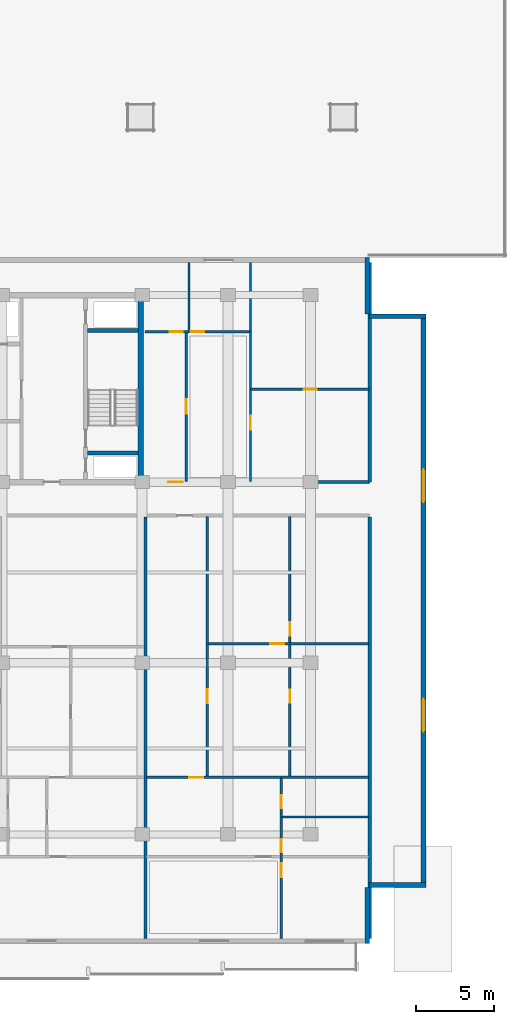
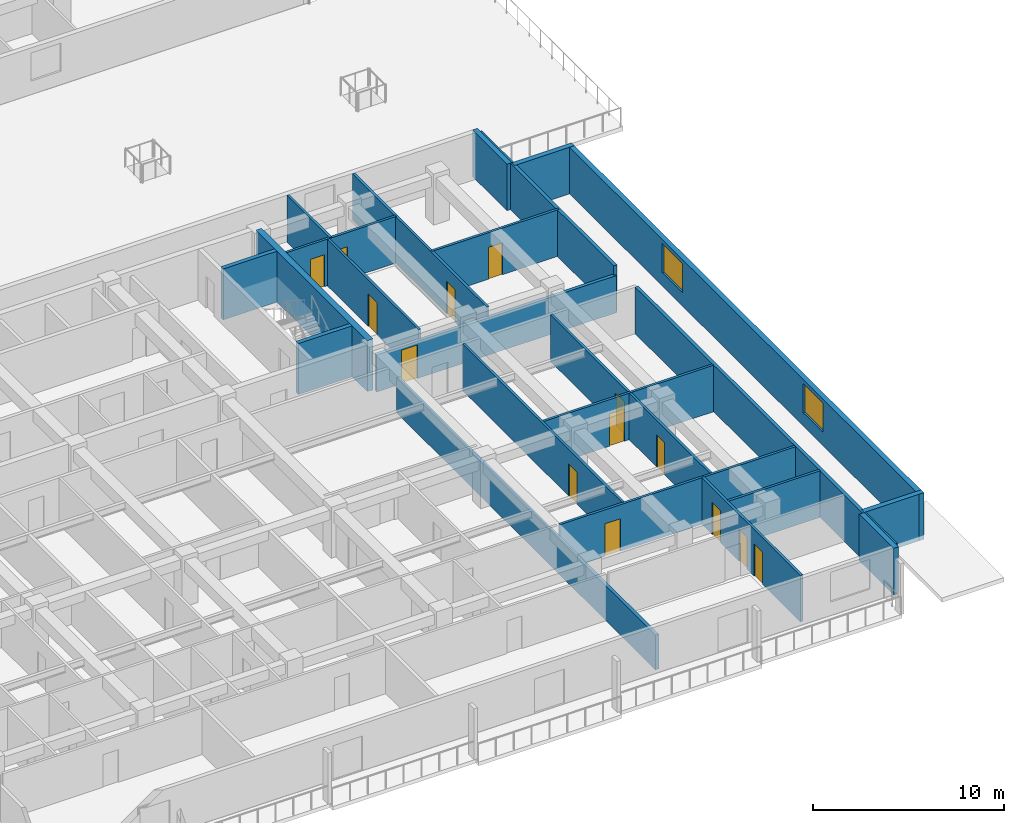
# One storey, part 8 of 24: 23 walls, 14 doors, 2 windows, 16 openings.
"""IFC4 building model written with IfcOpenShell, lengths in metres."""

import ifcopenshell
import ifcopenshell.guid

model = None  # the IFC model being written
_history = None  # IfcOwnerHistory: only IFC2X3 demands one
_inside = {}  # id of a spatial element -> (the spatial element, [elements in it])
_under = {}  # id of a project, library or spatial element -> (it, [spatial elements below it])
_declared = {}  # id of a project -> (the project, [libraries it declares])
_typed = {}  # id of a type object -> (the type object, [elements of that type])
_made_of = {}  # id of a material, layer set ... -> (it, [elements and type objects made of it])


def new_model(schema):
    """Start an empty IFC model of exactly this schema.

    Asked for "IFC4X3", IfcOpenShell would pick the latest addendum, in which some entities
    have other attributes; the version numbers below select the first issue.
    IFC2X3 requires an IfcOwnerHistory on every rooted entity: one is made here for all.
    """
    global model, _history
    if schema == "IFC4X3":
        model = ifcopenshell.file(schema_version=(4, 3, 0, 0))
    else:
        model = ifcopenshell.file(schema=schema)
    _inside.clear()
    _under.clear()
    _declared.clear()
    _typed.clear()
    _made_of.clear()
    _history = None
    if model.schema == "IFC2X3":
        org = make("IfcOrganization", Name="unknown")
        user = make(
            "IfcPersonAndOrganization",
            ThePerson=make("IfcPerson", FamilyName="unknown"),
            TheOrganization=org,
        )
        app = make(
            "IfcApplication",
            ApplicationDeveloper=org,
            Version="unknown",
            ApplicationFullName="unknown",
            ApplicationIdentifier="unknown",
        )
        _history = make(
            "IfcOwnerHistory",
            OwningUser=user,
            OwningApplication=app,
            ChangeAction="ADDED",
            CreationDate=0,
        )
    return model


def make(cls, **values):
    """One entity of the class cls with the attributes given. An attribute that is None is left unset."""
    return model.create_entity(
        cls, **{name: value for name, value in values.items() if value is not None}
    )


def rooted(cls, **values):
    """An entity with a GlobalId (a new one), such as an element, a storey or a relation."""
    return make(cls, GlobalId=ifcopenshell.guid.new(), OwnerHistory=_history, **values)


def si_unit(unit_type, name, prefix=None):
    """IfcSIUnit, for example si_unit("LENGTHUNIT", "METRE", prefix="MILLI")."""
    return make("IfcSIUnit", UnitType=unit_type, Prefix=prefix, Name=name)


def assignment(units):
    """IfcUnitAssignment: the units of a project."""
    return None if units is None else make("IfcUnitAssignment", Units=units)


def point(xyz):
    """IfcCartesianPoint."""
    return None if xyz is None else make("IfcCartesianPoint", Coordinates=xyz)


def direction(xyz):
    """IfcDirection."""
    return None if xyz is None else make("IfcDirection", DirectionRatios=xyz)


def frame(location, z_axis=None, x_axis=None):
    """IfcAxis2Placement3D, a coordinate frame: its origin and axes. An axis left out is left unset."""
    return make(
        "IfcAxis2Placement3D",
        Location=point(location),
        Axis=direction(z_axis),
        RefDirection=direction(x_axis),
    )


def frame_2d(location, x_axis=None):
    """IfcAxis2Placement2D, a coordinate frame in the plane: its origin and x axis."""
    return make(
        "IfcAxis2Placement2D", Location=point(location), RefDirection=direction(x_axis)
    )


def origin():
    """The frame at (0, 0, 0) with its axes left unset."""
    return frame((0.0, 0.0, 0.0))


def place(relative_to, where):
    """IfcLocalPlacement: puts the frame where relative to a parent placement (None: the world)."""
    return make(
        "IfcLocalPlacement", PlacementRelTo=relative_to, RelativePlacement=where
    )


def context(
    kind, dimensions, precision=None, world=None, true_north=None, identifier=None
):
    """IfcGeometricRepresentationContext, for example the 3D "Model" context."""
    return make(
        "IfcGeometricRepresentationContext",
        ContextIdentifier=identifier,
        ContextType=kind,
        CoordinateSpaceDimension=dimensions,
        Precision=precision,
        WorldCoordinateSystem=world,
        TrueNorth=true_north,
    )


def subcontext(parent, identifier, kind, view, scale=None):
    """IfcGeometricRepresentationSubContext, for example "Body" below "Model"."""
    return make(
        "IfcGeometricRepresentationSubContext",
        ContextIdentifier=identifier,
        ContextType=kind,
        ParentContext=parent,
        TargetScale=scale,
        TargetView=view,
    )


def project(units=None, contexts=None):
    """IfcProject with its units and contexts."""
    return rooted(
        "IfcProject",
        Name="project",
        RepresentationContexts=contexts,
        UnitsInContext=assignment(units),
    )


def spatial(cls, under=None, at=None, **own):
    """A site, building, storey or space (cls), placed at a placement, below another one or the project."""
    s = rooted(cls, ObjectPlacement=at, **own)
    if under is not None:
        _under.setdefault(under.id(), (under, []))[1].append(s)
    return s


def profile(cls, at=None, kind="AREA", **sizes):
    """A parametric profile (cls). Its sizes go by their IFC names, for example OverallWidth=200.0."""
    return make(cls, ProfileType=kind, Position=at, **sizes)


def rectangle(**sizes):
    """IfcRectangleProfileDef."""
    return profile("IfcRectangleProfileDef", **sizes)


def extrude(swept, where, along, depth):
    """IfcExtrudedAreaSolid: the profile swept, set in the frame where, extruded along a direction by depth."""
    return make(
        "IfcExtrudedAreaSolid",
        SweptArea=swept,
        Position=where,
        ExtrudedDirection=direction(along),
        Depth=depth,
    )


def shape(context_of_items, identifier, shape_type, items):
    """IfcShapeRepresentation: the items that make up one representation, for example the "Body"."""
    return make(
        "IfcShapeRepresentation",
        ContextOfItems=context_of_items,
        RepresentationIdentifier=identifier,
        RepresentationType=shape_type,
        Items=items,
    )


def material(Name=None, Category=None):
    """IfcMaterial."""
    return make("IfcMaterial", Name=Name, Category=Category)


def layer(
    of_material, thickness, ventilated=None, Name=None, Category=None, Priority=None
):
    """IfcMaterialLayer: one layer of a wall or slab, of a material (None: an air gap)."""
    return make(
        "IfcMaterialLayer",
        Material=of_material,
        LayerThickness=thickness,
        IsVentilated=ventilated,
        Name=Name,
        Category=Category,
        Priority=Priority,
    )


def layer_set(layers, Name=None):
    """IfcMaterialLayerSet."""
    return make("IfcMaterialLayerSet", MaterialLayers=layers, LayerSetName=Name)


def made_of(thing, what):
    """Note that an element or type object is made of a material, layer set ...; save() writes the relation."""
    if what is not None:
        _made_of.setdefault(what.id(), (what, []))[1].append(thing)
    return thing


def type_object(cls, material=None, **own):
    """A type object (cls), such as IfcWallType, which elements share."""
    return made_of(rooted(cls, **own), material)


def element(
    cls,
    number,
    at=None,
    inside=None,
    cuts=None,
    type_object=None,
    material=None,
    context=None,
    identifier="Body",
    shape_type=None,
    held_by="IfcProductDefinitionShape",
    body=None,
    shapes=None,
    **own,
):
    """One element of the class cls, such as IfcWall. Its Tag is "e" and its number.

    at: its placement. inside: the storey or other place that contains it. cuts: it is an
    opening in that element (IfcRelVoidsElement). A single representation is given by context,
    identifier, shape_type and body (its items); several are given by shapes. held_by: the class
    of the entity that holds the representations. save() writes the other relations.
    """
    e = rooted(cls, Tag="e%d" % number, ObjectPlacement=at, **own)
    if body is not None:
        shapes = [shape(context, identifier, shape_type, body)]
    if shapes is not None:
        e.Representation = make(held_by, Representations=shapes)
    if inside is not None:
        _inside.setdefault(inside.id(), (inside, []))[1].append(e)
    if cuts is not None:
        rooted(
            "IfcRelVoidsElement", RelatingBuildingElement=cuts, RelatedOpeningElement=e
        )
    if type_object is not None:
        _typed.setdefault(type_object.id(), (type_object, []))[1].append(e)
    return made_of(e, material)


def fill(opening, filler):
    """IfcRelFillsElement: the door or window that sits in an opening."""
    return rooted(
        "IfcRelFillsElement",
        RelatingOpeningElement=opening,
        RelatedBuildingElement=filler,
    )


def aggregate(whole, parts):
    """IfcRelAggregates: a whole, such as a stair, and the parts it consists of."""
    return rooted("IfcRelAggregates", RelatingObject=whole, RelatedObjects=parts)


def save(model, path):
    """Write the relations noted so far, then the file.

    IfcRelAggregates (storeys below a building ...), IfcRelContainedInSpatialStructure (elements
    in a storey), IfcRelDefinesByType, IfcRelAssociatesMaterial and IfcRelDeclares: one each for
    every whole, place, type object, material and project.
    """
    for whole, parts in _under.values():
        aggregate(whole, parts)
    for where, things in _inside.values():
        rooted(
            "IfcRelContainedInSpatialStructure",
            RelatedElements=things,
            RelatingStructure=where,
        )
    for kind, things in _typed.values():
        rooted("IfcRelDefinesByType", RelatedObjects=things, RelatingType=kind)
    for what, things in _made_of.values():
        rooted("IfcRelAssociatesMaterial", RelatedObjects=things, RelatingMaterial=what)
    for by, libraries in _declared.values():
        rooted("IfcRelDeclares", RelatingContext=by, RelatedDefinitions=libraries)
    model.write(path)


model = new_model("IFC4")

# Units and contexts
model_context = context("Model", 3, precision=1e-05, world=origin(), true_north=direction((0.0, 1.0)))
body_context = subcontext(model_context, "Body", "Model", "MODEL_VIEW")
ifc_project = project(units=[si_unit("LENGTHUNIT", "METRE"), si_unit("AREAUNIT", "SQUARE_METRE"), si_unit("VOLUMEUNIT", "CUBIC_METRE"), si_unit("PLANEANGLEUNIT", "RADIAN"), si_unit("MASSUNIT", "GRAM", prefix="KILO")], contexts=[model_context])

# Site, building, storey
site_placement = place(None, origin())
site = spatial("IfcSite", under=ifc_project, at=site_placement, CompositionType="ELEMENT")
building_placement = place(site_placement, origin())
building = spatial("IfcBuilding", under=site, at=building_placement, Name="Korimba Cascade Residences", CompositionType="ELEMENT")
storey_placement = place(building_placement, frame((0.0, 0.0, 24.0)))
storey = spatial("IfcBuildingStorey", under=building, at=storey_placement, Name="L05", CompositionType="ELEMENT", Elevation=24.0)

# Walls
ifc_material_1 = material(Name="Precast concrete C40/50", Category="concrete")
ifc_layer_1 = layer(ifc_material_1, 0.300048828125)
ifc_layer_set_1 = layer_set([ifc_layer_1], Name="Precast concrete C40/50")
wall_type_1 = type_object("IfcWallType", Name="EW-STONE-300", PredefinedType="STANDARD", material=ifc_layer_set_1)
wall_1_placement = place(storey_placement, frame((132.550048828125, -11.199951171875, 0.0), z_axis=(0.0, 0.0, 1.0), x_axis=(0.0, 1.0, 0.0)))
element("IfcWall", 1, at=wall_1_placement, inside=storey, type_object=wall_type_1, Name="L05 T2 Perimeter Stone Wall E01", PredefinedType="STANDARD", context=body_context, shape_type="SweptSolid", body=[
    extrude(rectangle(XDim=3.599853515625, YDim=0.300048828125, at=frame_2d((1.7998046875, 0.0))), origin(), (0.0, 0.0, 1.0), 2.969970703125),
])
wall_2_placement = place(storey_placement, frame((132.699951171875, -7.449951171875, 0.0), z_axis=(0.0, 0.0, 1.0), x_axis=(1.0, 0.0, 0.0)))
element("IfcWall", 2, at=wall_2_placement, inside=storey, type_object=wall_type_1, Name="L05 T2 Perimeter Stone Wall E02", PredefinedType="STANDARD", context=body_context, shape_type="SweptSolid", body=[
    extrude(rectangle(XDim=3.60009765625, YDim=0.300048828125, at=frame_2d((1.800048828125, 0.0))), origin(), (0.0, 0.0, 1.0), 2.969970703125),
])

# Wall, openings, windows
wall_3_placement = place(storey_placement, frame((136.14990234375, -7.60009765625, 0.0), z_axis=(0.0, 0.0, 1.0), x_axis=(0.0, 1.0, 0.0)))
wall_3 = element("IfcWall", 3, at=wall_3_placement, inside=storey, type_object=wall_type_1, Name="L05 T2 Perimeter Stone Wall E03", PredefinedType="STANDARD", context=body_context, shape_type="SweptSolid", body=[
    extrude(rectangle(XDim=36.800048828125, YDim=0.300048828125, at=frame_2d((18.39990234375, 0.0))), origin(), (0.0, 0.0, 1.0), 2.969970703125),
])
opening_1_placement = place(wall_3_placement, frame((9.989990234375, 0.0, 0.85009765625)))
opening_1 = element("IfcOpeningElement", 4, at=opening_1_placement, cuts=wall_3, Name="Opening W-03", PredefinedType="OPENING", context=body_context, shape_type="SweptSolid", body=[
    extrude(rectangle(XDim=2.10009765625, YDim=1.85009765625, at=frame_2d((1.050048828125, 0.925048828125))), frame((0.0, 0.16015625, 0.0), z_axis=(0.0, -1.0, 0.0), x_axis=(1.0, 0.0, 0.0)), (0.0, 0.0, 1.0), 0.320068359375),
])
opening_2_placement = place(wall_3_placement, frame((24.7099609375, 0.0, 0.85009765625)))
opening_2 = element("IfcOpeningElement", 5, at=opening_2_placement, cuts=wall_3, Name="Opening W-03", PredefinedType="OPENING", context=body_context, shape_type="SweptSolid", body=[
    extrude(rectangle(XDim=2.10009765625, YDim=1.85009765625, at=frame_2d((1.050048828125, 0.925048828125))), frame((0.0, 0.16015625, 0.0), z_axis=(0.0, -1.0, 0.0), x_axis=(1.0, 0.0, 0.0)), (0.0, 0.0, 1.0), 0.320068359375),
])
ifc_material_2 = material(Name="Double-Glazed Aluminium Window", Category="aluminium")
window_type = type_object("IfcWindowType", Name="WIN-CRN-2100", PartitioningType="DOUBLE_PANEL_HORIZONTAL", PredefinedType="WINDOW", material=ifc_material_2)
window_1_placement = place(opening_1_placement, origin())
window_1 = element("IfcWindow", 6, at=window_1_placement, inside=storey, type_object=window_type, Name="L05 T2 End View Window 3.1", OverallHeight=1.85009765625, OverallWidth=2.10009765625, PartitioningType="DOUBLE_PANEL_HORIZONTAL", PredefinedType="WINDOW", context=body_context, shape_type="SweptSolid", body=[
    extrude(rectangle(XDim=2.10009765625, YDim=1.85009765625, at=frame_2d((1.050048828125, 0.925048828125))), frame((0.0, 0.030029296875, 0.0), z_axis=(0.0, -1.0, 0.0), x_axis=(1.0, 0.0, 0.0)), (0.0, 0.0, 1.0), 0.06005859375),
])
fill(opening_1, window_1)
window_2_placement = place(opening_2_placement, origin())
window_2 = element("IfcWindow", 7, at=window_2_placement, inside=storey, type_object=window_type, Name="L05 T2 End View Window 3.2", OverallHeight=1.85009765625, OverallWidth=2.10009765625, PartitioningType="DOUBLE_PANEL_HORIZONTAL", PredefinedType="WINDOW", context=body_context, shape_type="SweptSolid", body=[
    extrude(rectangle(XDim=2.10009765625, YDim=1.85009765625, at=frame_2d((1.050048828125, 0.925048828125))), frame((0.0, 0.030029296875, 0.0), z_axis=(0.0, -1.0, 0.0), x_axis=(1.0, 0.0, 0.0)), (0.0, 0.0, 1.0), 0.06005859375),
])
fill(opening_2, window_2)

# Walls
for number, where, z_axis, x_axis, name in (
    (8, (136.300048828125, 29.050048828125, 0.0), (0.0, 0.0, 1.0), (-1.0, 0.0, 0.0), "L05 T2 Perimeter Stone Wall E04"),
    (9, (132.550048828125, 29.199951171875, 0.0), (0.0, 0.0, 1.0), (0.0, 1.0, 0.0), "L05 T2 Perimeter Stone Wall E05"),
):
    element("IfcWall", number, at=place(storey_placement, frame(where, z_axis=z_axis, x_axis=x_axis)), inside=storey, type_object=wall_type_1, Name=name, PredefinedType="STANDARD", context=body_context, shape_type="SweptSolid", body=[
        extrude(rectangle(XDim=3.60009765625, YDim=0.300048828125, at=frame_2d((1.800048828125, 0.0))), origin(), (0.0, 0.0, 1.0), 2.969970703125),
    ])
ifc_material_3 = material(Name="Concrete C65/80", Category="concrete")
ifc_layer_2 = layer(ifc_material_3, 0.35009765625)
ifc_layer_set_2 = layer_set([ifc_layer_2], Name="Concrete C65/80")
wall_type_2 = type_object("IfcWallType", Name="WAL-CORE-350", PredefinedType="SHEAR", material=ifc_layer_set_2)
wall_4_placement = place(storey_placement, frame((118.014892578125, 18.574951171875, 0.0), z_axis=(0.0, 0.0, 1.0), x_axis=(0.0, 1.0, 0.0)))
element("IfcWall", 10, at=wall_4_placement, inside=storey, type_object=wall_type_2, Name="L05 Core Shear Wall CW-L05-T2-E", PredefinedType="SHEAR", context=body_context, shape_type="SweptSolid", body=[
    extrude(rectangle(XDim=11.650146484375, YDim=0.35009765625, at=frame_2d((5.8251953125, 0.0))), origin(), (0.0, 0.0, 1.0), 3.25),
])
ifc_layer_3 = layer(ifc_material_1, 0.199951171875)
ifc_layer_set_3 = layer_set([ifc_layer_3], Name="Precast concrete C40/50")
wall_type_3 = type_object("IfcWallType", Name="WAL-IT-200", PredefinedType="PARTITIONING", material=ifc_layer_set_3)
wall_5_placement = place(storey_placement, frame((132.699951171875, 18.39990234375, 0.0), z_axis=(0.0, 0.0, 1.0), x_axis=(0.0, 1.0, 0.0)))
element("IfcWall", 11, at=wall_5_placement, inside=storey, type_object=wall_type_3, Name="L05 Partition Wall WAL-L05-T2-FE-WR", PredefinedType="PARTITIONING", context=body_context, shape_type="SweptSolid", body=[
    extrude(rectangle(XDim=14.10009765625, YDim=0.199951171875, at=frame_2d((7.050048828125, 0.0))), origin(), (0.0, 0.0, 1.0), 2.969970703125),
])

# Wall, opening, door
wall_6_placement = place(storey_placement, frame((118.25, 18.39990234375, 0.0), z_axis=(0.0, 0.0, 1.0), x_axis=(1.0, 0.0, 0.0)))
wall_6 = element("IfcWall", 12, at=wall_6_placement, inside=storey, type_object=wall_type_3, Name="L05 Partition Wall WAL-L05-T2-FE-S", PredefinedType="PARTITIONING", context=body_context, shape_type="SweptSolid", body=[
    extrude(rectangle(XDim=14.449951171875, YDim=0.199951171875, at=frame_2d((7.22509765625, 0.0))), origin(), (0.0, 0.0, 1.0), 2.3701171875),
])
opening_3_placement = place(wall_6_placement, frame((1.510009765625, 0.0, 0.0)))
opening_3 = element("IfcOpeningElement", 13, at=opening_3_placement, cuts=wall_6, Name="Opening D-UN1", PredefinedType="OPENING", context=body_context, shape_type="SweptSolid", body=[
    extrude(rectangle(XDim=0.949951171875, YDim=2.14990234375, at=frame_2d((0.47509765625, 1.074951171875))), frame((0.0, 0.10986328125, 0.0), z_axis=(0.0, -1.0, 0.0), x_axis=(1.0, 0.0, 0.0)), (0.0, 0.0, 1.0), 0.219970703125),
])
ifc_material_4 = material(Name="Fire-Rated Hardwood Apartment Entrance Door", Category="wood")
door_type_1 = type_object("IfcDoorType", Name="DR-FD60-950", OperationType="NOTDEFINED", PredefinedType="DOOR", material=ifc_material_4)
door_1_placement = place(opening_3_placement, origin())
door_1 = element("IfcDoor", 14, at=door_1_placement, inside=storey, type_object=door_type_1, Name="L05-T2-FE Entrance Door", OperationType="SINGLE_SWING_LEFT", OverallHeight=2.14990234375, OverallWidth=0.949951171875, PredefinedType="DOOR", context=body_context, shape_type="SweptSolid", body=[
    extrude(rectangle(XDim=0.949951171875, YDim=2.14990234375, at=frame_2d((0.47509765625, 1.074951171875))), frame((0.0, 0.02490234375, 0.0), z_axis=(0.0, -1.0, 0.0), x_axis=(1.0, 0.0, 0.0)), (0.0, 0.0, 1.0), 0.050048828125),
])
fill(opening_3, door_1)

# Walls
wall_7_placement = place(storey_placement, frame((132.699951171875, -10.89990234375, 0.0), z_axis=(0.0, 0.0, 1.0), x_axis=(0.0, 1.0, 0.0)))
element("IfcWall", 15, at=wall_7_placement, inside=storey, type_object=wall_type_3, Name="L05 Partition Wall WAL-L05-T2-BNDWR", PredefinedType="PARTITIONING", context=body_context, shape_type="SweptSolid", body=[
    extrude(rectangle(XDim=27.06982421875, YDim=0.199951171875, at=frame_2d((13.534912109375, 0.0))), origin(), (0.0, 0.0, 1.0), 2.969970703125),
])
wall_8_placement = place(storey_placement, frame((118.30712890625, -10.89990234375, 0.0), z_axis=(0.0, 0.0, 1.0), x_axis=(0.0, 1.0, 0.0)))
element("IfcWall", 16, at=wall_8_placement, inside=storey, type_object=wall_type_3, Name="L05 Partition Wall WAL-L05-T2-DEM-4", PredefinedType="PARTITIONING", context=body_context, shape_type="SweptSolid", body=[
    extrude(rectangle(XDim=27.06982421875, YDim=0.199951171875, at=frame_2d((13.534912109375, 0.0))), origin(), (0.0, 0.0, 1.0), 2.219970703125),
])

# Wall, opening, door
ifc_material_5 = material(Name="Insulated Acoustic Stud Partition", Category="gypsum")
ifc_layer_4 = layer(ifc_material_5, 0.14990234375)
ifc_layer_set_4 = layer_set([ifc_layer_4], Name="Insulated Acoustic Stud Partition")
wall_type_4 = type_object("IfcWallType", Name="WAL-PART-150", PredefinedType="PARTITIONING", material=ifc_layer_set_4)
wall_9_placement = place(storey_placement, frame((125.050048828125, 24.35009765625, 0.0), z_axis=(0.0, 0.0, 1.0), x_axis=(1.0, 0.0, 0.0)))
wall_9 = element("IfcWall", 17, at=wall_9_placement, inside=storey, type_object=wall_type_4, Name="L05 Partition Wall WAL-L05-T2-FE-STH", PredefinedType="PARTITIONING", context=body_context, shape_type="SweptSolid", body=[
    extrude(rectangle(XDim=7.64990234375, YDim=0.14990234375, at=frame_2d((3.824951171875, 0.0))), origin(), (0.0, 0.0, 1.0), 2.969970703125),
])
opening_4_placement = place(wall_9_placement, frame((3.405029296875, 0.0, 0.0)))
opening_4 = element("IfcOpeningElement", 18, at=opening_4_placement, cuts=wall_9, Name="Opening D-BT1", PredefinedType="OPENING", context=body_context, shape_type="SweptSolid", body=[
    extrude(rectangle(XDim=0.840087890625, YDim=2.0400390625, at=frame_2d((0.419921875, 1.02001953125))), frame((0.0, 0.0849609375, 0.0), z_axis=(0.0, -1.0, 0.0), x_axis=(1.0, 0.0, 0.0)), (0.0, 0.0, 1.0), 0.169921875),
])
ifc_material_6 = material(Name="Moisture-Resistant Bathroom Timber Door", Category="wood")
door_type_2 = type_object("IfcDoorType", Name="DR-INT-850", OperationType="NOTDEFINED", PredefinedType="DOOR", material=ifc_material_6)
door_2_placement = place(opening_4_placement, origin())
door_2 = element("IfcDoor", 19, at=door_2_placement, inside=storey, type_object=door_type_2, Name="L05-T2-FE Dressing Store Door", OperationType="SINGLE_SWING_RIGHT", OverallHeight=2.0400390625, OverallWidth=0.840087890625, PredefinedType="DOOR", context=body_context, shape_type="SweptSolid", body=[
    extrude(rectangle(XDim=0.840087890625, YDim=2.0400390625, at=frame_2d((0.419921875, 1.02001953125))), frame((0.0, 0.02490234375, 0.0), z_axis=(0.0, -1.0, 0.0), x_axis=(1.0, 0.0, 0.0)), (0.0, 0.0, 1.0), 0.050048828125),
])
fill(opening_4, door_2)

wall_10_placement = place(storey_placement, frame((125.050048828125, 18.449951171875, 0.0), z_axis=(0.0, 0.0, 1.0), x_axis=(0.0, 1.0, 0.0)))
wall_10 = element("IfcWall", 20, at=wall_10_placement, inside=storey, type_object=wall_type_4, Name="L05 Partition Wall WAL-L05-T2-FE-STV", PredefinedType="PARTITIONING", context=body_context, shape_type="SweptSolid", body=[
    extrude(rectangle(XDim=14.050048828125, YDim=0.14990234375, at=frame_2d((7.02490234375, 0.0))), origin(), (0.0, 0.0, 1.0), 2.969970703125),
])
opening_5_placement = place(wall_10_placement, frame((3.320068359375, 0.0, 0.0)))
opening_5 = element("IfcOpeningElement", 21, at=opening_5_placement, cuts=wall_10, Name="Opening D-IN2", PredefinedType="OPENING", context=body_context, shape_type="SweptSolid", body=[
    extrude(rectangle(XDim=0.8798828125, YDim=2.06005859375, at=frame_2d((0.43994140625, 1.030029296875))), frame((0.0, 0.0849609375, 0.0), z_axis=(0.0, -1.0, 0.0), x_axis=(1.0, 0.0, 0.0)), (0.0, 0.0, 1.0), 0.169921875),
])
ifc_material_7 = material(Name="Acoustic Timber Bedroom Door", Category="wood")
door_type_3 = type_object("IfcDoorType", Name="DR-INT-880", OperationType="NOTDEFINED", PredefinedType="DOOR", material=ifc_material_7)
door_3_placement = place(opening_5_placement, origin())
door_3 = element("IfcDoor", 22, at=door_3_placement, inside=storey, type_object=door_type_3, Name="L05-T2-FE Study Door", OperationType="SINGLE_SWING_LEFT", OverallHeight=2.06005859375, OverallWidth=0.8798828125, PredefinedType="DOOR", context=body_context, shape_type="SweptSolid", body=[
    extrude(rectangle(XDim=0.8798828125, YDim=2.06005859375, at=frame_2d((0.43994140625, 1.030029296875))), frame((0.0, 0.02490234375, 0.0), z_axis=(0.0, -1.0, 0.0), x_axis=(1.0, 0.0, 0.0)), (0.0, 0.0, 1.0), 0.050048828125),
])
fill(opening_5, door_3)

wall_11_placement = place(storey_placement, frame((120.929931640625, 18.449951171875, 0.0), z_axis=(0.0, 0.0, 1.0), x_axis=(0.0, 1.0, 0.0)))
wall_11 = element("IfcWall", 23, at=wall_11_placement, inside=storey, type_object=wall_type_4, Name="L05 Partition Wall WAL-L05-T2-FE-VS", PredefinedType="PARTITIONING", context=body_context, shape_type="SweptSolid", body=[
    extrude(rectangle(XDim=9.60009765625, YDim=0.14990234375, at=frame_2d((4.800048828125, 0.0))), origin(), (0.0, 0.0, 1.0), 2.969970703125),
])
opening_6_placement = place(wall_11_placement, frame((4.340087890625, 0.0, 0.0)))
opening_6 = element("IfcOpeningElement", 24, at=opening_6_placement, cuts=wall_11, Name="Opening D-IN1", PredefinedType="OPENING", context=body_context, shape_type="SweptSolid", body=[
    extrude(rectangle(XDim=0.919921875, YDim=2.080078125, at=frame_2d((0.4599609375, 1.0400390625))), frame((0.0, 0.0849609375, 0.0), z_axis=(0.0, -1.0, 0.0), x_axis=(1.0, 0.0, 0.0)), (0.0, 0.0, 1.0), 0.169921875),
])
ifc_material_8 = material(Name="Acoustic Timber Living Door", Category="wood")
door_type_4 = type_object("IfcDoorType", Name="DR-INT-920", OperationType="NOTDEFINED", PredefinedType="DOOR", material=ifc_material_8)
door_4_placement = place(opening_6_placement, origin())
door_4 = element("IfcDoor", 25, at=door_4_placement, inside=storey, type_object=door_type_4, Name="L05-T2-FE Living Door", OperationType="SINGLE_SWING_RIGHT", OverallHeight=2.080078125, OverallWidth=0.919921875, PredefinedType="DOOR", context=body_context, shape_type="SweptSolid", body=[
    extrude(rectangle(XDim=0.919921875, YDim=2.080078125, at=frame_2d((0.4599609375, 1.0400390625))), frame((0.0, 0.02490234375, 0.0), z_axis=(0.0, -1.0, 0.0), x_axis=(1.0, 0.0, 0.0)), (0.0, 0.0, 1.0), 0.050048828125),
])
fill(opening_6, door_4)

# Wall
wall_12_placement = place(storey_placement, frame((121.10009765625, 28.050048828125, 0.0), z_axis=(0.0, 0.0, 1.0), x_axis=(0.0, 1.0, 0.0)))
element("IfcWall", 26, at=wall_12_placement, inside=storey, type_object=wall_type_4, Name="L05 Partition Wall WAL-L05-T2-FE-VN", PredefinedType="PARTITIONING", context=body_context, shape_type="SweptSolid", body=[
    extrude(rectangle(XDim=4.449951171875, YDim=0.14990234375, at=frame_2d((2.22509765625, 0.0))), origin(), (0.0, 0.0, 1.0), 2.969970703125),
])

# Wall, openings, doors
wall_13_placement = place(storey_placement, frame((118.27001953125, 28.050048828125, 0.0), z_axis=(0.0, 0.0, 1.0), x_axis=(1.0, 0.0, 0.0)))
wall_13 = element("IfcWall", 27, at=wall_13_placement, inside=storey, type_object=wall_type_4, Name="L05 Partition Wall WAL-L05-T2-FE-H", PredefinedType="PARTITIONING", context=body_context, shape_type="SweptSolid", body=[
    extrude(rectangle(XDim=6.760009765625, YDim=0.14990234375, at=frame_2d((3.3798828125, 0.0))), origin(), (0.0, 0.0, 1.0), 2.969970703125),
])
opening_7_placement = place(wall_13_placement, frame((1.58740234375, 0.0, 0.0)))
opening_7 = element("IfcOpeningElement", 28, at=opening_7_placement, cuts=wall_13, Name="Opening D-BT1", PredefinedType="OPENING", context=body_context, shape_type="SweptSolid", body=[
    extrude(rectangle(XDim=0.840087890625, YDim=2.0400390625, at=frame_2d((0.419921875, 1.02001953125))), frame((0.0, 0.0849609375, 0.0), z_axis=(0.0, -1.0, 0.0), x_axis=(1.0, 0.0, 0.0)), (0.0, 0.0, 1.0), 0.169921875),
])
opening_8_placement = place(wall_13_placement, frame((2.93408203125, 0.0, 0.0)))
opening_8 = element("IfcOpeningElement", 29, at=opening_8_placement, cuts=wall_13, Name="Opening D-IN2", PredefinedType="OPENING", context=body_context, shape_type="SweptSolid", body=[
    extrude(rectangle(XDim=0.8798828125, YDim=2.06005859375, at=frame_2d((0.43994140625, 1.030029296875))), frame((0.0, 0.0849609375, 0.0), z_axis=(0.0, -1.0, 0.0), x_axis=(1.0, 0.0, 0.0)), (0.0, 0.0, 1.0), 0.169921875),
])
door_5_placement = place(opening_7_placement, origin())
door_5 = element("IfcDoor", 30, at=door_5_placement, inside=storey, type_object=door_type_2, Name="L05-T2-FE Bathroom Door", OperationType="SINGLE_SWING_LEFT", OverallHeight=2.0400390625, OverallWidth=0.840087890625, PredefinedType="DOOR", context=body_context, shape_type="SweptSolid", body=[
    extrude(rectangle(XDim=0.840087890625, YDim=2.0400390625, at=frame_2d((0.419921875, 1.02001953125))), frame((0.0, 0.02490234375, 0.0), z_axis=(0.0, -1.0, 0.0), x_axis=(1.0, 0.0, 0.0)), (0.0, 0.0, 1.0), 0.050048828125),
])
fill(opening_7, door_5)
door_6_placement = place(opening_8_placement, origin())
door_6 = element("IfcDoor", 31, at=door_6_placement, inside=storey, type_object=door_type_3, Name="L05-T2-FE Bedroom Door", OperationType="SINGLE_SWING_RIGHT", OverallHeight=2.06005859375, OverallWidth=0.8798828125, PredefinedType="DOOR", context=body_context, shape_type="SweptSolid", body=[
    extrude(rectangle(XDim=0.8798828125, YDim=2.06005859375, at=frame_2d((0.43994140625, 1.030029296875))), frame((0.0, 0.02490234375, 0.0), z_axis=(0.0, -1.0, 0.0), x_axis=(1.0, 0.0, 0.0)), (0.0, 0.0, 1.0), 0.050048828125),
])
fill(opening_8, door_6)

wall_14_placement = place(storey_placement, frame((127.57861328125, -0.510009765625, 0.0), z_axis=(0.0, 0.0, 1.0), x_axis=(0.0, 1.0, 0.0)))
wall_14 = element("IfcWall", 32, at=wall_14_placement, inside=storey, type_object=wall_type_4, Name="L05 Partition Wall WAL-L05-T2-U05-FMV", PredefinedType="PARTITIONING", context=body_context, shape_type="SweptSolid", body=[
    extrude(rectangle(XDim=16.699951171875, YDim=0.14990234375, at=frame_2d((8.35009765625, 0.0))), origin(), (0.0, 0.0, 1.0), 2.969970703125),
])
opening_9_placement = place(wall_14_placement, frame((4.745849609375, 0.0, 0.0)))
opening_9 = element("IfcOpeningElement", 33, at=opening_9_placement, cuts=wall_14, Name="Opening D-BT1", PredefinedType="OPENING", context=body_context, shape_type="SweptSolid", body=[
    extrude(rectangle(XDim=0.840087890625, YDim=2.0400390625, at=frame_2d((0.419921875, 1.02001953125))), frame((0.0, 0.0849609375, 0.0), z_axis=(0.0, -1.0, 0.0), x_axis=(1.0, 0.0, 0.0)), (0.0, 0.0, 1.0), 0.169921875),
])
opening_10_placement = place(wall_14_placement, frame((9.047607421875, 0.0, 0.0)))
opening_10 = element("IfcOpeningElement", 34, at=opening_10_placement, cuts=wall_14, Name="Opening D-IN2", PredefinedType="OPENING", context=body_context, shape_type="SweptSolid", body=[
    extrude(rectangle(XDim=0.8798828125, YDim=2.06005859375, at=frame_2d((0.43994140625, 1.030029296875))), frame((0.0, 0.0849609375, 0.0), z_axis=(0.0, -1.0, 0.0), x_axis=(1.0, 0.0, 0.0)), (0.0, 0.0, 1.0), 0.169921875),
])
door_7_placement = place(opening_9_placement, origin())
door_7 = element("IfcDoor", 35, at=door_7_placement, inside=storey, type_object=door_type_2, Name="L05-T2-U05 Wardrobe Door", OperationType="SINGLE_SWING_RIGHT", OverallHeight=2.0400390625, OverallWidth=0.840087890625, PredefinedType="DOOR", context=body_context, shape_type="SweptSolid", body=[
    extrude(rectangle(XDim=0.840087890625, YDim=2.0400390625, at=frame_2d((0.419921875, 1.02001953125))), frame((0.0, 0.02490234375, 0.0), z_axis=(0.0, -1.0, 0.0), x_axis=(1.0, 0.0, 0.0)), (0.0, 0.0, 1.0), 0.050048828125),
])
fill(opening_9, door_7)
door_8_placement = place(opening_10_placement, origin())
door_8 = element("IfcDoor", 36, at=door_8_placement, inside=storey, type_object=door_type_3, Name="L05-T2-U05 Music Lounge Door", OperationType="SINGLE_SWING_LEFT", OverallHeight=2.06005859375, OverallWidth=0.8798828125, PredefinedType="DOOR", context=body_context, shape_type="SweptSolid", body=[
    extrude(rectangle(XDim=0.8798828125, YDim=2.06005859375, at=frame_2d((0.43994140625, 1.030029296875))), frame((0.0, 0.02490234375, 0.0), z_axis=(0.0, -1.0, 0.0), x_axis=(1.0, 0.0, 0.0)), (0.0, 0.0, 1.0), 0.050048828125),
])
fill(opening_10, door_8)

# Wall, opening, door
wall_15_placement = place(storey_placement, frame((122.337158203125, 8.02001953125, 0.0), z_axis=(0.0, 0.0, 1.0), x_axis=(1.0, 0.0, 0.0)))
wall_15 = element("IfcWall", 37, at=wall_15_placement, inside=storey, type_object=wall_type_4, Name="L05 Partition Wall WAL-L05-T2-U05-FMH", PredefinedType="PARTITIONING", context=body_context, shape_type="SweptSolid", body=[
    extrude(rectangle(XDim=10.282958984375, YDim=0.14990234375, at=frame_2d((5.1416015625, 0.0))), origin(), (0.0, 0.0, 1.0), 2.969970703125),
])
opening_11_placement = place(wall_15_placement, frame((3.98974609375, 0.0, 0.0)))
opening_11 = element("IfcOpeningElement", 38, at=opening_11_placement, cuts=wall_15, Name="Opening D-IN2", PredefinedType="OPENING", context=body_context, shape_type="SweptSolid", body=[
    extrude(rectangle(XDim=0.8798828125, YDim=2.06005859375, at=frame_2d((0.43994140625, 1.030029296875))), frame((0.0, 0.0849609375, 0.0), z_axis=(0.0, -1.0, 0.0), x_axis=(1.0, 0.0, 0.0)), (0.0, 0.0, 1.0), 0.169921875),
])
door_9_placement = place(opening_11_placement, origin())
door_9 = element("IfcDoor", 39, at=door_9_placement, inside=storey, type_object=door_type_3, Name="L05-T2-U05 Library Salon Door", OperationType="SINGLE_SWING_RIGHT", OverallHeight=2.06005859375, OverallWidth=0.8798828125, PredefinedType="DOOR", context=body_context, shape_type="SweptSolid", body=[
    extrude(rectangle(XDim=0.8798828125, YDim=2.06005859375, at=frame_2d((0.43994140625, 1.030029296875))), frame((0.0, 0.02490234375, 0.0), z_axis=(0.0, -1.0, 0.0), x_axis=(1.0, 0.0, 0.0)), (0.0, 0.0, 1.0), 0.050048828125),
])
fill(opening_11, door_9)

wall_16_placement = place(storey_placement, frame((122.277099609375, -0.510009765625, 0.0), z_axis=(0.0, 0.0, 1.0), x_axis=(0.0, 1.0, 0.0)))
wall_16 = element("IfcWall", 40, at=wall_16_placement, inside=storey, type_object=wall_type_4, Name="L05 Partition Wall WAL-L05-T2-U05-FV", PredefinedType="PARTITIONING", context=body_context, shape_type="SweptSolid", body=[
    extrude(rectangle(XDim=16.699951171875, YDim=0.14990234375, at=frame_2d((8.35009765625, 0.0))), origin(), (0.0, 0.0, 1.0), 2.969970703125),
])
opening_12_placement = place(wall_16_placement, frame((4.720947265625, 0.0, 0.0)))
opening_12 = element("IfcOpeningElement", 41, at=opening_12_placement, cuts=wall_16, Name="Opening D-IN2", PredefinedType="OPENING", context=body_context, shape_type="SweptSolid", body=[
    extrude(rectangle(XDim=0.8798828125, YDim=2.06005859375, at=frame_2d((0.43994140625, 1.030029296875))), frame((0.0, 0.0849609375, 0.0), z_axis=(0.0, -1.0, 0.0), x_axis=(1.0, 0.0, 0.0)), (0.0, 0.0, 1.0), 0.169921875),
])
door_10_placement = place(opening_12_placement, origin())
door_10 = element("IfcDoor", 42, at=door_10_placement, inside=storey, type_object=door_type_3, Name="L05-T2-U05 Media Lounge Door", OperationType="SINGLE_SWING_LEFT", OverallHeight=2.06005859375, OverallWidth=0.8798828125, PredefinedType="DOOR", context=body_context, shape_type="SweptSolid", body=[
    extrude(rectangle(XDim=0.8798828125, YDim=2.06005859375, at=frame_2d((0.43994140625, 1.030029296875))), frame((0.0, 0.02490234375, 0.0), z_axis=(0.0, -1.0, 0.0), x_axis=(1.0, 0.0, 0.0)), (0.0, 0.0, 1.0), 0.050048828125),
])
fill(opening_12, door_10)

# Wall
wall_17_placement = place(storey_placement, frame((127.080078125, -3.090087890625, 0.0), z_axis=(0.0, 0.0, 1.0), x_axis=(1.0, 0.0, 0.0)))
element("IfcWall", 43, at=wall_17_placement, inside=storey, type_object=wall_type_4, Name="L05 Partition Wall WAL-L05-T2-U05-BLDIV", PredefinedType="PARTITIONING", context=body_context, shape_type="SweptSolid", body=[
    extrude(rectangle(XDim=5.5400390625, YDim=0.14990234375, at=frame_2d((2.77001953125, 0.0))), origin(), (0.0, 0.0, 1.0), 2.969970703125),
])

# Wall, openings, doors
wall_18_placement = place(storey_placement, frame((127.02001953125, -10.89990234375, 0.0), z_axis=(0.0, 0.0, 1.0), x_axis=(0.0, 1.0, 0.0)))
wall_18 = element("IfcWall", 44, at=wall_18_placement, inside=storey, type_object=wall_type_4, Name="L05 Partition Wall WAL-L05-T2-U05-V1", PredefinedType="PARTITIONING", context=body_context, shape_type="SweptSolid", body=[
    extrude(rectangle(XDim=10.309814453125, YDim=0.14990234375, at=frame_2d((5.15478515625, 0.0))), origin(), (0.0, 0.0, 1.0), 2.969970703125),
])
opening_13_placement = place(wall_18_placement, frame((5.550048828125, 0.0, 0.0)))
opening_13 = element("IfcOpeningElement", 45, at=opening_13_placement, cuts=wall_18, Name="Opening D-BT1", PredefinedType="OPENING", context=body_context, shape_type="SweptSolid", body=[
    extrude(rectangle(XDim=0.840087890625, YDim=2.0400390625, at=frame_2d((0.419921875, 1.02001953125))), frame((0.0, 0.0849609375, 0.0), z_axis=(0.0, -1.0, 0.0), x_axis=(1.0, 0.0, 0.0)), (0.0, 0.0, 1.0), 0.169921875),
])
opening_14_placement = place(wall_18_placement, frame((8.362060546875, 0.0, 0.0)))
opening_14 = element("IfcOpeningElement", 46, at=opening_14_placement, cuts=wall_18, Name="Opening D-BT1", PredefinedType="OPENING", context=body_context, shape_type="SweptSolid", body=[
    extrude(rectangle(XDim=0.840087890625, YDim=2.0400390625, at=frame_2d((0.419921875, 1.02001953125))), frame((0.0, 0.0849609375, 0.0), z_axis=(0.0, -1.0, 0.0), x_axis=(1.0, 0.0, 0.0)), (0.0, 0.0, 1.0), 0.169921875),
])
opening_15_placement = place(wall_18_placement, frame((3.949951171875, 0.0, 0.0)))
opening_15 = element("IfcOpeningElement", 47, at=opening_15_placement, cuts=wall_18, Name="Opening D-IN2", PredefinedType="OPENING", context=body_context, shape_type="SweptSolid", body=[
    extrude(rectangle(XDim=0.8798828125, YDim=2.06005859375, at=frame_2d((0.43994140625, 1.030029296875))), frame((0.0, 0.0849609375, 0.0), z_axis=(0.0, -1.0, 0.0), x_axis=(1.0, 0.0, 0.0)), (0.0, 0.0, 1.0), 0.169921875),
])
door_11_placement = place(opening_13_placement, origin())
door_11 = element("IfcDoor", 48, at=door_11_placement, inside=storey, type_object=door_type_2, Name="L05-T2-U05 Bathroom Door", OperationType="SINGLE_SWING_RIGHT", OverallHeight=2.0400390625, OverallWidth=0.840087890625, PredefinedType="DOOR", context=body_context, shape_type="SweptSolid", body=[
    extrude(rectangle(XDim=0.840087890625, YDim=2.0400390625, at=frame_2d((0.419921875, 1.02001953125))), frame((0.0, 0.02490234375, 0.0), z_axis=(0.0, -1.0, 0.0), x_axis=(1.0, 0.0, 0.0)), (0.0, 0.0, 1.0), 0.050048828125),
])
fill(opening_13, door_11)
door_12_placement = place(opening_14_placement, origin())
door_12 = element("IfcDoor", 49, at=door_12_placement, inside=storey, type_object=door_type_2, Name="L05-T2-U05 Laundry Door", OperationType="SINGLE_SWING_LEFT", OverallHeight=2.0400390625, OverallWidth=0.840087890625, PredefinedType="DOOR", context=body_context, shape_type="SweptSolid", body=[
    extrude(rectangle(XDim=0.840087890625, YDim=2.0400390625, at=frame_2d((0.419921875, 1.02001953125))), frame((0.0, 0.02490234375, 0.0), z_axis=(0.0, -1.0, 0.0), x_axis=(1.0, 0.0, 0.0)), (0.0, 0.0, 1.0), 0.050048828125),
])
fill(opening_14, door_12)
door_13_placement = place(opening_15_placement, origin())
door_13 = element("IfcDoor", 50, at=door_13_placement, inside=storey, type_object=door_type_3, Name="L05-T2-U05 Bedroom 1 Door", OperationType="SINGLE_SWING_RIGHT", OverallHeight=2.06005859375, OverallWidth=0.8798828125, PredefinedType="DOOR", context=body_context, shape_type="SweptSolid", body=[
    extrude(rectangle(XDim=0.8798828125, YDim=2.06005859375, at=frame_2d((0.43994140625, 1.030029296875))), frame((0.0, 0.02490234375, 0.0), z_axis=(0.0, -1.0, 0.0), x_axis=(1.0, 0.0, 0.0)), (0.0, 0.0, 1.0), 0.050048828125),
])
fill(opening_15, door_13)

# Wall, opening, door
wall_19_placement = place(storey_placement, frame((118.38720703125, -0.550048828125, 0.0), z_axis=(0.0, 0.0, 1.0), x_axis=(1.0, 0.0, 0.0)))
wall_19 = element("IfcWall", 51, at=wall_19_placement, inside=storey, type_object=wall_type_4, Name="L05 Partition Wall WAL-L05-T2-U05-MW", PredefinedType="PARTITIONING", context=body_context, shape_type="SweptSolid", body=[
    extrude(rectangle(XDim=14.23291015625, YDim=0.14990234375, at=frame_2d((7.116455078125, 0.0))), origin(), (0.0, 0.0, 1.0), 2.969970703125),
])
opening_16_placement = place(wall_19_placement, frame((2.719970703125, 0.0, 0.0)))
opening_16 = element("IfcOpeningElement", 52, at=opening_16_placement, cuts=wall_19, Name="Opening D-IN1", PredefinedType="OPENING", context=body_context, shape_type="SweptSolid", body=[
    extrude(rectangle(XDim=0.919921875, YDim=2.080078125, at=frame_2d((0.4599609375, 1.0400390625))), frame((0.0, 0.0849609375, 0.0), z_axis=(0.0, -1.0, 0.0), x_axis=(1.0, 0.0, 0.0)), (0.0, 0.0, 1.0), 0.169921875),
])
door_14_placement = place(opening_16_placement, origin())
door_14 = element("IfcDoor", 53, at=door_14_placement, inside=storey, type_object=door_type_4, Name="L05-T2-U05 Kitchen Archway Door", OperationType="SINGLE_SWING_LEFT", OverallHeight=2.080078125, OverallWidth=0.919921875, PredefinedType="DOOR", context=body_context, shape_type="SweptSolid", body=[
    extrude(rectangle(XDim=0.919921875, YDim=2.080078125, at=frame_2d((0.4599609375, 1.0400390625))), frame((0.0, 0.02490234375, 0.0), z_axis=(0.0, -1.0, 0.0), x_axis=(1.0, 0.0, 0.0)), (0.0, 0.0, 1.0), 0.050048828125),
])
fill(opening_16, door_14)

# Walls
ifc_material_9 = material(Name="Concrete C50/60", Category="concrete")
ifc_layer_5 = layer(ifc_material_9, 0.25)
ifc_layer_set_5 = layer_set([ifc_layer_5], Name="Concrete C50/60")
wall_type_5 = type_object("IfcWallType", Name="WAL-SHAFT-250", PredefinedType="SHEAR", material=ifc_layer_set_5)
for number, where, z_axis, x_axis, name in (
    (54, (114.60009765625, 20.27490234375, 0.0), (0.0, 0.0, 1.0), (1.0, 0.0, 0.0), "L05 Core Shear Wall CW-L05-T2-STE2S"),
    (55, (114.60009765625, 28.125, 0.0), (0.0, 0.0, 1.0), (1.0, 0.0, 0.0), "L05 Core Shear Wall CW-L05-T2-STE2N"),
):
    element("IfcWall", number, at=place(storey_placement, frame(where, z_axis=z_axis, x_axis=x_axis)), inside=storey, type_object=wall_type_5, Name=name, PredefinedType="SHEAR", context=body_context, shape_type="SweptSolid", body=[
        extrude(rectangle(XDim=3.239990234375, YDim=0.25, at=frame_2d((1.6201171875, 0.0))), origin(), (0.0, 0.0, 1.0), 3.25),
    ])

save(model, "model.ifc")
